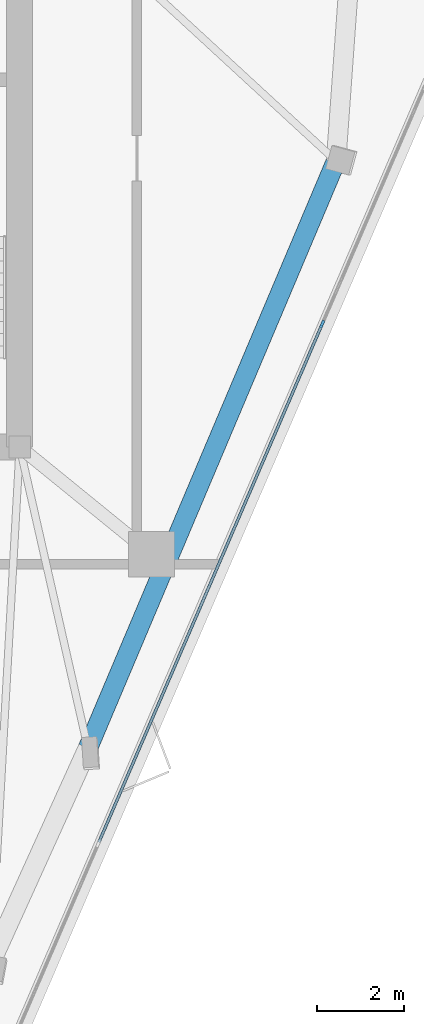
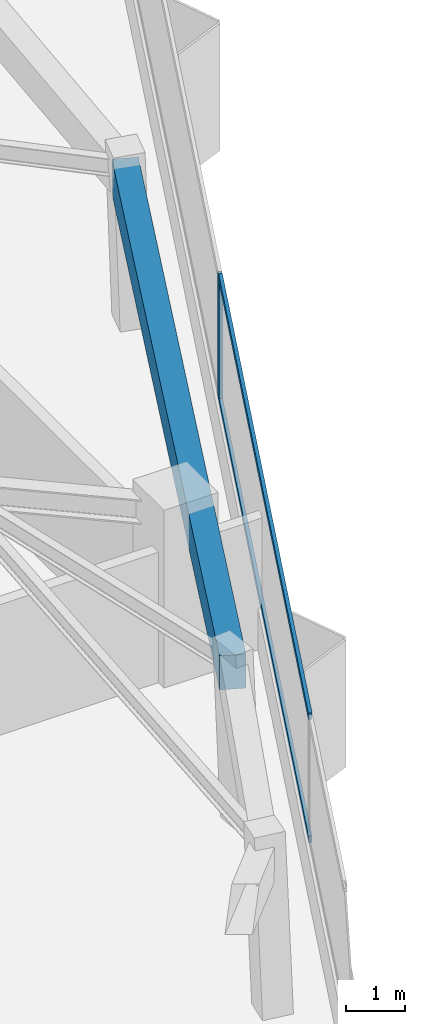
# One storey, part 3 of 9: 3 members, 1 beam, 1 element without a shape of its own.
"""IFC4 building model written with IfcOpenShell, lengths in metres."""

import ifcopenshell
import ifcopenshell.guid

model = None  # the IFC model being written
_history = None  # IfcOwnerHistory: only IFC2X3 demands one
_inside = {}  # id of a spatial element -> (the spatial element, [elements in it])
_under = {}  # id of a project, library or spatial element -> (it, [spatial elements below it])
_declared = {}  # id of a project -> (the project, [libraries it declares])
_typed = {}  # id of a type object -> (the type object, [elements of that type])
_made_of = {}  # id of a material, layer set ... -> (it, [elements and type objects made of it])


def new_model(schema):
    """Start an empty IFC model of exactly this schema.

    Asked for "IFC4X3", IfcOpenShell would pick the latest addendum, in which some entities
    have other attributes; the version numbers below select the first issue.
    IFC2X3 requires an IfcOwnerHistory on every rooted entity: one is made here for all.
    """
    global model, _history
    if schema == "IFC4X3":
        model = ifcopenshell.file(schema_version=(4, 3, 0, 0))
    else:
        model = ifcopenshell.file(schema=schema)
    _inside.clear()
    _under.clear()
    _declared.clear()
    _typed.clear()
    _made_of.clear()
    _history = None
    if model.schema == "IFC2X3":
        org = make("IfcOrganization", Name="unknown")
        user = make(
            "IfcPersonAndOrganization",
            ThePerson=make("IfcPerson", FamilyName="unknown"),
            TheOrganization=org,
        )
        app = make(
            "IfcApplication",
            ApplicationDeveloper=org,
            Version="unknown",
            ApplicationFullName="unknown",
            ApplicationIdentifier="unknown",
        )
        _history = make(
            "IfcOwnerHistory",
            OwningUser=user,
            OwningApplication=app,
            ChangeAction="ADDED",
            CreationDate=0,
        )
    return model


def make(cls, **values):
    """One entity of the class cls with the attributes given. An attribute that is None is left unset."""
    return model.create_entity(
        cls, **{name: value for name, value in values.items() if value is not None}
    )


def rooted(cls, **values):
    """An entity with a GlobalId (a new one), such as an element, a storey or a relation."""
    return make(cls, GlobalId=ifcopenshell.guid.new(), OwnerHistory=_history, **values)


def si_unit(unit_type, name, prefix=None):
    """IfcSIUnit, for example si_unit("LENGTHUNIT", "METRE", prefix="MILLI")."""
    return make("IfcSIUnit", UnitType=unit_type, Prefix=prefix, Name=name)


def assignment(units):
    """IfcUnitAssignment: the units of a project."""
    return None if units is None else make("IfcUnitAssignment", Units=units)


def point(xyz):
    """IfcCartesianPoint."""
    return None if xyz is None else make("IfcCartesianPoint", Coordinates=xyz)


def direction(xyz):
    """IfcDirection."""
    return None if xyz is None else make("IfcDirection", DirectionRatios=xyz)


def frame(location, z_axis=None, x_axis=None):
    """IfcAxis2Placement3D, a coordinate frame: its origin and axes. An axis left out is left unset."""
    return make(
        "IfcAxis2Placement3D",
        Location=point(location),
        Axis=direction(z_axis),
        RefDirection=direction(x_axis),
    )


def frame_2d(location, x_axis=None):
    """IfcAxis2Placement2D, a coordinate frame in the plane: its origin and x axis."""
    return make(
        "IfcAxis2Placement2D", Location=point(location), RefDirection=direction(x_axis)
    )


def origin():
    """The frame at (0, 0, 0) with its axes left unset."""
    return frame((0.0, 0.0, 0.0))


def origin_2d():
    """The frame at (0, 0) in the plane with its x axis left unset."""
    return frame_2d((0.0, 0.0))


def place(relative_to, where):
    """IfcLocalPlacement: puts the frame where relative to a parent placement (None: the world)."""
    return make(
        "IfcLocalPlacement", PlacementRelTo=relative_to, RelativePlacement=where
    )


def context(
    kind, dimensions, precision=None, world=None, true_north=None, identifier=None
):
    """IfcGeometricRepresentationContext, for example the 3D "Model" context."""
    return make(
        "IfcGeometricRepresentationContext",
        ContextIdentifier=identifier,
        ContextType=kind,
        CoordinateSpaceDimension=dimensions,
        Precision=precision,
        WorldCoordinateSystem=world,
        TrueNorth=true_north,
    )


def subcontext(parent, identifier, kind, view, scale=None):
    """IfcGeometricRepresentationSubContext, for example "Body" below "Model"."""
    return make(
        "IfcGeometricRepresentationSubContext",
        ContextIdentifier=identifier,
        ContextType=kind,
        ParentContext=parent,
        TargetScale=scale,
        TargetView=view,
    )


def project(units=None, contexts=None):
    """IfcProject with its units and contexts."""
    return rooted(
        "IfcProject",
        Name="project",
        RepresentationContexts=contexts,
        UnitsInContext=assignment(units),
    )


def spatial(cls, under=None, at=None, **own):
    """A site, building, storey or space (cls), placed at a placement, below another one or the project."""
    s = rooted(cls, ObjectPlacement=at, **own)
    if under is not None:
        _under.setdefault(under.id(), (under, []))[1].append(s)
    return s


def profile(cls, at=None, kind="AREA", **sizes):
    """A parametric profile (cls). Its sizes go by their IFC names, for example OverallWidth=200.0."""
    return make(cls, ProfileType=kind, Position=at, **sizes)


def rectangle(**sizes):
    """IfcRectangleProfileDef."""
    return profile("IfcRectangleProfileDef", **sizes)


def extrude(swept, where, along, depth):
    """IfcExtrudedAreaSolid: the profile swept, set in the frame where, extruded along a direction by depth."""
    return make(
        "IfcExtrudedAreaSolid",
        SweptArea=swept,
        Position=where,
        ExtrudedDirection=direction(along),
        Depth=depth,
    )


def shape(context_of_items, identifier, shape_type, items):
    """IfcShapeRepresentation: the items that make up one representation, for example the "Body"."""
    return make(
        "IfcShapeRepresentation",
        ContextOfItems=context_of_items,
        RepresentationIdentifier=identifier,
        RepresentationType=shape_type,
        Items=items,
    )


def material(Name=None, Category=None):
    """IfcMaterial."""
    return make("IfcMaterial", Name=Name, Category=Category)


def layer(
    of_material, thickness, ventilated=None, Name=None, Category=None, Priority=None
):
    """IfcMaterialLayer: one layer of a wall or slab, of a material (None: an air gap)."""
    return make(
        "IfcMaterialLayer",
        Material=of_material,
        LayerThickness=thickness,
        IsVentilated=ventilated,
        Name=Name,
        Category=Category,
        Priority=Priority,
    )


def layer_set(layers, Name=None):
    """IfcMaterialLayerSet."""
    return make("IfcMaterialLayerSet", MaterialLayers=layers, LayerSetName=Name)


def material_profile(
    of_material, cross_section, Name=None, Category=None, Priority=None
):
    """IfcMaterialProfile: a cross section and its material."""
    return make(
        "IfcMaterialProfile",
        Name=Name,
        Material=of_material,
        Profile=cross_section,
        Priority=Priority,
        Category=Category,
    )


def profile_set(profiles, Name=None, composite=None):
    """IfcMaterialProfileSet."""
    return make(
        "IfcMaterialProfileSet",
        Name=Name,
        MaterialProfiles=profiles,
        CompositeProfile=composite,
    )


def made_of(thing, what):
    """Note that an element or type object is made of a material, layer set ...; save() writes the relation."""
    if what is not None:
        _made_of.setdefault(what.id(), (what, []))[1].append(thing)
    return thing


def type_object(cls, material=None, **own):
    """A type object (cls), such as IfcWallType, which elements share."""
    return made_of(rooted(cls, **own), material)


def element(
    cls,
    number,
    at=None,
    inside=None,
    cuts=None,
    type_object=None,
    material=None,
    context=None,
    identifier="Body",
    shape_type=None,
    held_by="IfcProductDefinitionShape",
    body=None,
    shapes=None,
    **own,
):
    """One element of the class cls, such as IfcWall. Its Tag is "e" and its number.

    at: its placement. inside: the storey or other place that contains it. cuts: it is an
    opening in that element (IfcRelVoidsElement). A single representation is given by context,
    identifier, shape_type and body (its items); several are given by shapes. held_by: the class
    of the entity that holds the representations. save() writes the other relations.
    """
    e = rooted(cls, Tag="e%d" % number, ObjectPlacement=at, **own)
    if body is not None:
        shapes = [shape(context, identifier, shape_type, body)]
    if shapes is not None:
        e.Representation = make(held_by, Representations=shapes)
    if inside is not None:
        _inside.setdefault(inside.id(), (inside, []))[1].append(e)
    if cuts is not None:
        rooted(
            "IfcRelVoidsElement", RelatingBuildingElement=cuts, RelatedOpeningElement=e
        )
    if type_object is not None:
        _typed.setdefault(type_object.id(), (type_object, []))[1].append(e)
    return made_of(e, material)


def aggregate(whole, parts):
    """IfcRelAggregates: a whole, such as a stair, and the parts it consists of."""
    return rooted("IfcRelAggregates", RelatingObject=whole, RelatedObjects=parts)


def save(model, path):
    """Write the relations noted so far, then the file.

    IfcRelAggregates (storeys below a building ...), IfcRelContainedInSpatialStructure (elements
    in a storey), IfcRelDefinesByType, IfcRelAssociatesMaterial and IfcRelDeclares: one each for
    every whole, place, type object, material and project.
    """
    for whole, parts in _under.values():
        aggregate(whole, parts)
    for where, things in _inside.values():
        rooted(
            "IfcRelContainedInSpatialStructure",
            RelatedElements=things,
            RelatingStructure=where,
        )
    for kind, things in _typed.values():
        rooted("IfcRelDefinesByType", RelatedObjects=things, RelatingType=kind)
    for what, things in _made_of.values():
        rooted("IfcRelAssociatesMaterial", RelatedObjects=things, RelatingMaterial=what)
    for by, libraries in _declared.values():
        rooted("IfcRelDeclares", RelatingContext=by, RelatedDefinitions=libraries)
    model.write(path)


model = new_model("IFC4")

# Units and contexts
model_context = context("Model", 3, precision=1e-05, world=origin(), true_north=direction((0.0, 1.0)))
body_context = subcontext(model_context, "Body", "Model", "MODEL_VIEW")
ifc_project = project(units=[si_unit("LENGTHUNIT", "METRE"), si_unit("AREAUNIT", "SQUARE_METRE"), si_unit("VOLUMEUNIT", "CUBIC_METRE"), si_unit("PLANEANGLEUNIT", "RADIAN"), si_unit("MASSUNIT", "GRAM", prefix="KILO")], contexts=[model_context])

# Site, building, storey
site_placement = place(None, origin())
site = spatial("IfcSite", under=ifc_project, at=site_placement, CompositionType="ELEMENT")
building_placement = place(site_placement, origin())
building = spatial("IfcBuilding", under=site, at=building_placement, Name="Talyreon Biosciences Tower", CompositionType="ELEMENT")
storey_placement = place(building_placement, frame((0.0, 0.0, 305.699951171875)))
storey = spatial("IfcBuildingStorey", under=building, at=storey_placement, Name="L81", CompositionType="ELEMENT", Elevation=305.699951171875)

# Curtain wall, members
ifc_material_1 = material(Name="Thermally broken aluminium and low-E glazing", Category="aluminium")
ifc_layer = layer(ifc_material_1, 0.175048828125)
ifc_layer_set = layer_set([ifc_layer], Name="Thermally broken aluminium and low-E glazing")
curtain_wall_type = type_object("IfcCurtainWallType", Name="CurtainWall_Zone5CompLab", PredefinedType="NOTDEFINED", material=ifc_layer_set)
curtain_wall_placement = place(storey_placement, origin())
curtain_wall = element("IfcCurtainWall", 1, at=curtain_wall_placement, inside=storey, type_object=curtain_wall_type, Name="L81 Unitised Curtain Wall FCW-L81-08", PredefinedType="NOTDEFINED")
ifc_material_2 = material(Name="Anodised thermally broken aluminium", Category="aluminium")
ifc_material_profile_1 = material_profile(ifc_material_2, rectangle(XDim=0.06494140625, YDim=0.179931640625, at=origin_2d()), Name="ALUM MULLION 65x180")
ifc_profile_set_1 = profile_set([ifc_material_profile_1], Name="Anodised thermally broken aluminium")
member_type_1 = type_object("IfcMemberType", Name="CWMullion_65x180", PredefinedType="MULLION", material=ifc_profile_set_1)
member_1_placement = place(storey_placement, frame((81.02001953125, 64.185302734375, 0.81005859375), z_axis=(0.0, 0.0, 1.0), x_axis=(0.918363311246, -0.395738333444, 0.0)))
member_1 = element("IfcMember", 2, at=member_1_placement, type_object=member_type_1, Name="CW6 mullion 2", PredefinedType="MULLION", context=body_context, shape_type="SweptSolid", body=[
    extrude(rectangle(XDim=0.06494140625, YDim=0.179931640625, at=origin_2d()), origin(), (0.0, 0.0, 1.0), 2.590087890625),
])
ifc_material_profile_2 = material_profile(ifc_material_2, rectangle(XDim=0.06494140625, YDim=0.139892578125, at=origin_2d()), Name="ALUM TRANSOM 65x140")
ifc_profile_set_2 = profile_set([ifc_material_profile_2], Name="Anodised thermally broken aluminium")
member_type_2 = type_object("IfcMemberType", Name="CWTransom_65x140", PredefinedType="USERDEFINED", material=ifc_profile_set_2)
member_2_placement = place(storey_placement, frame((81.007080078125, 64.1552734375, 0.842529296875), z_axis=(-0.395742593834, -0.91836147536, 0.0), x_axis=(0.91836147536, -0.395742593834, 0.0)))
member_2 = element("IfcMember", 3, at=member_2_placement, type_object=member_type_2, Name="CW6 transom 2.1", ObjectType="TRANSOM", PredefinedType="USERDEFINED", context=body_context, shape_type="SweptSolid", body=[
    extrude(rectangle(XDim=0.06494140625, YDim=0.139892578125, at=origin_2d()), origin(), (0.0, 0.0, 1.0), 12.97119140625),
])
member_3_placement = place(storey_placement, frame((81.007080078125, 64.1552734375, 3.367431640625), z_axis=(-0.395742593834, -0.91836147536, 0.0), x_axis=(0.91836147536, -0.395742593834, 0.0)))
member_3 = element("IfcMember", 4, at=member_3_placement, type_object=member_type_2, Name="CW6 transom 2.2", ObjectType="TRANSOM", PredefinedType="USERDEFINED", context=body_context, shape_type="SweptSolid", body=[
    extrude(rectangle(XDim=0.06494140625, YDim=0.139892578125, at=origin_2d()), origin(), (0.0, 0.0, 1.0), 12.97119140625),
])
aggregate(curtain_wall, [member_1, member_2, member_3])

# Beam
ifc_material_3 = material(Name="Precast concrete C45/55", Category="concrete")
ifc_material_profile_3 = material_profile(ifc_material_3, rectangle(XDim=0.449951171875, YDim=0.699951171875, at=origin_2d()), Name="RCB 450x700")
ifc_profile_set_3 = profile_set([ifc_material_profile_3], Name="Precast concrete C45/55")
beam_type = type_object("IfcBeamType", Name="ExpressedSpandrel_450x700", PredefinedType="SPANDREL", material=ifc_profile_set_3)
beam_placement = place(storey_placement, frame((75.62109375, 54.4130859375, 3.050048828125), z_axis=(0.38933193657, 0.921097520986, 0.0), x_axis=(-0.921097520986, 0.38933193657, 0.0)))
element("IfcBeam", 5, at=beam_placement, inside=storey, type_object=beam_type, Name="L81 Expressed Horizontal Concrete Spandrel 03", PredefinedType="SPANDREL", context=body_context, shape_type="SweptSolid", body=[
    extrude(rectangle(XDim=0.449951171875, YDim=0.699951171875, at=origin_2d()), origin(), (0.0, 0.0, 1.0), 14.68603515625),
])

save(model, "model.ifc")
